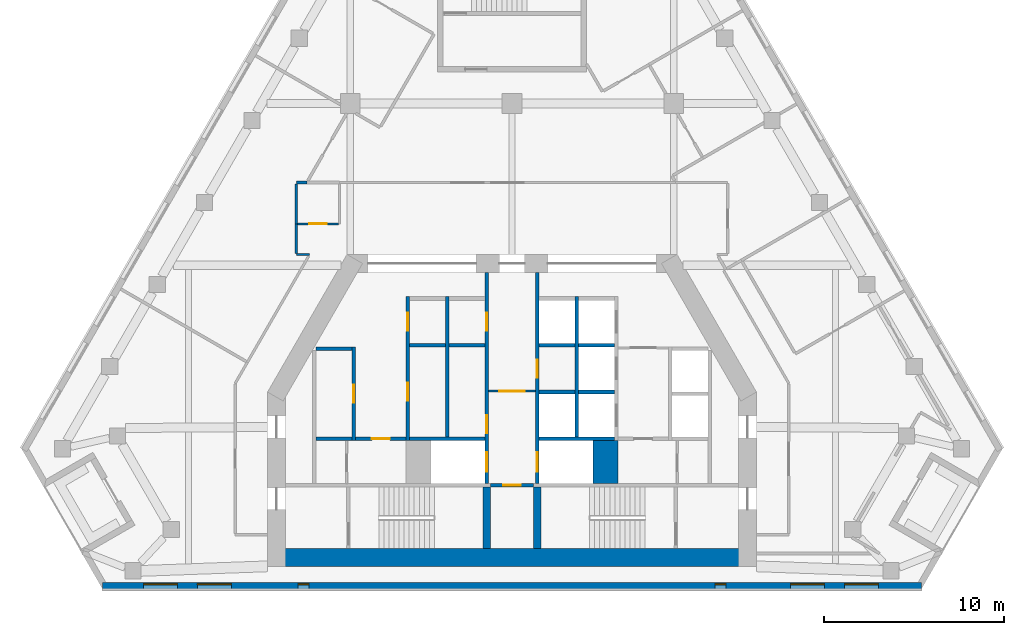
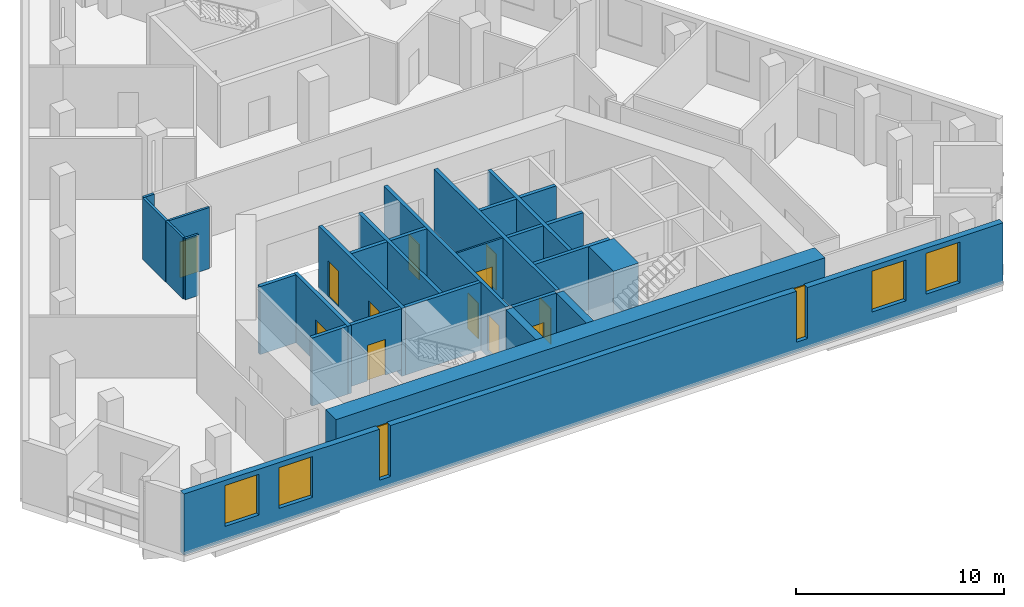
# One storey, part 4 of 9: 29 walls, 12 doors, 6 windows, 18 openings.
"""IFC4 building model written with IfcOpenShell, lengths in metres."""

from ifc_helpers import new_model, si_unit, direction, frame, frame_2d, origin, place, context, subcontext, project, spatial, rectangle, extrude, material, layer, layer_set, type_object, element, fill, save


model = new_model("IFC4")

# Units and contexts
model_context = context("Model", 3, precision=1e-05, world=origin(), true_north=direction((0.0, 1.0)))
body_context = subcontext(model_context, "Body", "Model", "MODEL_VIEW")
ifc_project = project(units=[si_unit("LENGTHUNIT", "METRE"), si_unit("AREAUNIT", "SQUARE_METRE"), si_unit("VOLUMEUNIT", "CUBIC_METRE"), si_unit("PLANEANGLEUNIT", "RADIAN"), si_unit("MASSUNIT", "GRAM", prefix="KILO")], contexts=[model_context])

# Site, building, storey
site_placement = place(None, origin())
site = spatial("IfcSite", under=ifc_project, at=site_placement, CompositionType="ELEMENT")
building_placement = place(site_placement, origin())
building = spatial("IfcBuilding", under=site, at=building_placement, Name="Fogline Exchange Tower", CompositionType="ELEMENT")
storey_placement = place(building_placement, frame((0.0, 0.0, 210.10009765625)))
storey = spatial("IfcBuildingStorey", under=building, at=storey_placement, Name="L47", CompositionType="ELEMENT", Elevation=210.10009765625)

# Wall, opening, door
ifc_material_1 = material(Name="Blockwork partition", Category="masonry")
ifc_layer_1 = layer(ifc_material_1, 0.10009765625)
ifc_layer_set_1 = layer_set([ifc_layer_1], Name="CW10")
wall_type_1 = type_object("IfcWallType", Name="CW10", PredefinedType="PARTITIONING", material=ifc_layer_set_1)
wall_1_placement = place(storey_placement, frame((-1.300048828125, 11.0, 0.0), z_axis=(0.0, 0.0, 1.0), x_axis=(1.0, 0.0, 0.0)))
wall_1 = element("IfcWall", 1, at=wall_1_placement, inside=storey, type_object=wall_type_1, Name="Lift lobby partition", PredefinedType="PARTITIONING", context=body_context, shape_type="SweptSolid", body=[
    extrude(rectangle(XDim=2.60009765625, YDim=0.10009765625, at=frame_2d((1.300048828125, 0.0))), origin(), (0.0, 0.0, 1.0), 3.599853515625),
])
opening_1_placement = place(wall_1_placement, frame((0.60009765625, 0.0, 0.0)))
opening_1 = element("IfcOpeningElement", 2, at=opening_1_placement, cuts=wall_1, Name="Opening T15-C019", PredefinedType="OPENING", context=body_context, shape_type="SweptSolid", body=[
    extrude(rectangle(XDim=1.39990234375, YDim=2.10009765625, at=frame_2d((0.699951171875, 1.050048828125))), frame((0.0, 0.06005859375, 0.0), z_axis=(0.0, -1.0, 0.0), x_axis=(1.0, 0.0, 0.0)), (0.0, 0.0, 1.0), 0.1201171875),
])
ifc_material_2 = material(Name="Steel and timber fire door", Category="steel")
door_type_1 = type_object("IfcDoorType", Name="D-LB1", OperationType="DOUBLE_DOOR_SINGLE_SWING", PredefinedType="DOOR", material=ifc_material_2)
door_1_placement = place(opening_1_placement, frame((1.39990234375, 0.0, 0.0), z_axis=(0.0, 0.0, 1.0), x_axis=(-1.0, 0.0, 0.0)))
door_1 = element("IfcDoor", 3, at=door_1_placement, inside=storey, type_object=door_type_1, Name="Door to firefighting lift lobby", OperationType="DOUBLE_DOOR_SINGLE_SWING", OverallHeight=2.10009765625, OverallWidth=1.39990234375, PredefinedType="DOOR", context=body_context, shape_type="SweptSolid", body=[
    extrude(rectangle(XDim=1.39990234375, YDim=2.10009765625, at=frame_2d((0.699951171875, 1.050048828125))), frame((0.0, 0.02490234375, 0.0), z_axis=(0.0, -1.0, 0.0), x_axis=(1.0, 0.0, 0.0)), (0.0, 0.0, 1.0), 0.050048828125),
])
fill(opening_1, door_1)

# Walls
ifc_material_3 = material(Name="Concrete C60", Category="concrete")
ifc_layer_2 = layer(ifc_material_3, 1.39990234375)
ifc_layer_set_2 = layer_set([ifc_layer_2], Name="CW140")
wall_type_2 = type_object("IfcWallType", Name="CW140", PredefinedType="SOLIDWALL", material=ifc_layer_set_2)
wall_2_placement = place(storey_placement, frame((5.199951171875, 5.85009765625, -0.400146484375), z_axis=(0.0, 0.0, 1.0), x_axis=(0.0, 1.0, 0.0)))
element("IfcWall", 4, at=wall_2_placement, inside=storey, type_object=wall_type_2, Name="Lift shaft block wall", PredefinedType="SOLIDWALL", context=body_context, shape_type="SweptSolid", body=[
    extrude(rectangle(XDim=2.39990234375, YDim=1.39990234375, at=frame_2d((1.199951171875, 0.0))), origin(), (0.0, 0.0, 1.0), 4.0),
])
ifc_material_4 = material(Name="Concrete C40", Category="concrete")
ifc_layer_3 = layer(ifc_material_4, 0.199951171875)
ifc_layer_set_3 = layer_set([ifc_layer_3], Name="CW20")
wall_type_3 = type_object("IfcWallType", Name="CW20", PredefinedType="SOLIDWALL", material=ifc_layer_set_3)
for number, where, z_axis, x_axis, name in (
    (5, (-5.699951171875, 13.550048828125, 0.0), (0.0, 0.0, 1.0), (1.0, 0.0, 0.0), "Service room wall"),
    (6, (-3.5, 13.550048828125, 0.0), (0.0, 0.0, 1.0), (1.0, 0.0, 0.0), "Service room wall"),
):
    element("IfcWall", number, at=place(storey_placement, frame(where, z_axis=z_axis, x_axis=x_axis)), inside=storey, type_object=wall_type_3, Name=name, PredefinedType="SOLIDWALL", context=body_context, shape_type="SweptSolid", body=[
        extrude(rectangle(XDim=2.0, YDim=0.199951171875, at=frame_2d((1.0, 0.0))), origin(), (0.0, 0.0, 1.0), 3.599853515625),
    ])

# Wall, opening, door
wall_3_placement = place(storey_placement, frame((-8.699951171875, 8.35009765625, 0.0), z_axis=(0.0, 0.0, 1.0), x_axis=(1.0, 0.0, 0.0)))
wall_3 = element("IfcWall", 7, at=wall_3_placement, inside=storey, type_object=wall_type_3, Name="WC wall", PredefinedType="SOLIDWALL", context=body_context, shape_type="SweptSolid", body=[
    extrude(rectangle(XDim=2.800048828125, YDim=0.199951171875, at=frame_2d((1.39990234375, 0.0))), origin(), (0.0, 0.0, 1.0), 3.599853515625),
])
opening_2_placement = place(wall_3_placement, frame((0.89990234375, 0.0, 0.0)))
opening_2 = element("IfcOpeningElement", 8, at=opening_2_placement, cuts=wall_3, Name="Opening T15-C008", PredefinedType="OPENING", context=body_context, shape_type="SweptSolid", body=[
    extrude(rectangle(XDim=1.0, YDim=2.10009765625, at=frame_2d((0.5, 1.050048828125))), frame((0.0, 0.10986328125, 0.0), z_axis=(0.0, -1.0, 0.0), x_axis=(1.0, 0.0, 0.0)), (0.0, 0.0, 1.0), 0.219970703125),
])
door_type_2 = type_object("IfcDoorType", Name="D-WC1", OperationType="SINGLE_SWING_LEFT", PredefinedType="DOOR", material=ifc_material_2)
door_2_placement = place(opening_2_placement, frame((1.0, 0.0, 0.0), z_axis=(0.0, 0.0, 1.0), x_axis=(-1.0, 0.0, 0.0)))
door_2 = element("IfcDoor", 9, at=door_2_placement, inside=storey, type_object=door_type_2, Name="Door to Men's WC", OperationType="SINGLE_SWING_LEFT", OverallHeight=2.10009765625, OverallWidth=1.0, PredefinedType="DOOR", context=body_context, shape_type="SweptSolid", body=[
    extrude(rectangle(XDim=1.0, YDim=2.10009765625, at=frame_2d((0.5, 1.050048828125))), frame((0.0, 0.02490234375, 0.0), z_axis=(0.0, -1.0, 0.0), x_axis=(1.0, 0.0, 0.0)), (0.0, 0.0, 1.0), 0.050048828125),
])
fill(opening_2, door_2)

ifc_layer_4 = layer(ifc_material_4, 0.199951171875)
ifc_layer_set_4 = layer_set([ifc_layer_4], Name="CW20R")
wall_type_4 = type_object("IfcWallType", Name="CW20R", PredefinedType="SOLIDWALL", material=ifc_layer_set_4)
wall_4_placement = place(storey_placement, frame((-1.199951171875, 5.75, -0.400146484375), z_axis=(0.0, 0.0, 1.0), x_axis=(1.0, 0.0, 0.0)))
wall_4 = element("IfcWall", 10, at=wall_4_placement, inside=storey, type_object=wall_type_4, Name="Stair enclosure wall", PredefinedType="SOLIDWALL", context=body_context, shape_type="SweptSolid", body=[
    extrude(rectangle(XDim=2.39990234375, YDim=0.199951171875, at=frame_2d((1.199951171875, 0.0))), origin(), (0.0, 0.0, 1.0), 4.0),
])
opening_3_placement = place(wall_4_placement, frame((0.699951171875, 0.0, 0.39990234375)))
opening_3 = element("IfcOpeningElement", 11, at=opening_3_placement, cuts=wall_4, Name="Opening T15-C007", PredefinedType="OPENING", context=body_context, shape_type="SweptSolid", body=[
    extrude(rectangle(XDim=1.0, YDim=2.10009765625, at=frame_2d((0.5, 1.050048828125))), frame((0.0, 0.10986328125, 0.0), z_axis=(0.0, -1.0, 0.0), x_axis=(1.0, 0.0, 0.0)), (0.0, 0.0, 1.0), 0.219970703125),
])
door_type_3 = type_object("IfcDoorType", Name="D-RM1", OperationType="SINGLE_SWING_LEFT", PredefinedType="DOOR", material=ifc_material_2)
door_3_placement = place(opening_3_placement, frame((1.0, 0.0, 0.0), z_axis=(0.0, 0.0, 1.0), x_axis=(-1.0, 0.0, 0.0)))
door_3 = element("IfcDoor", 12, at=door_3_placement, inside=storey, type_object=door_type_3, Name="Door to Stationery Store", OperationType="SINGLE_SWING_RIGHT", OverallHeight=2.10009765625, OverallWidth=1.0, PredefinedType="DOOR", context=body_context, shape_type="SweptSolid", body=[
    extrude(rectangle(XDim=1.0, YDim=2.10009765625, at=frame_2d((0.5, 1.050048828125))), frame((0.0, 0.02490234375, 0.0), z_axis=(0.0, -1.0, 0.0), x_axis=(1.0, 0.0, 0.0)), (0.0, 0.0, 1.0), 0.050048828125),
])
fill(opening_3, door_3)

ifc_layer_5 = layer(ifc_material_4, 0.199951171875)
ifc_layer_set_5 = layer_set([ifc_layer_5], Name="CW20S")
wall_type_5 = type_object("IfcWallType", Name="CW20S", PredefinedType="SOLIDWALL", material=ifc_layer_set_5)
wall_5_placement = place(storey_placement, frame((-8.800048828125, 8.25, -0.400146484375), z_axis=(0.0, 0.0, 1.0), x_axis=(0.0, 1.0, 0.0)))
wall_5 = element("IfcWall", 13, at=wall_5_placement, inside=storey, type_object=wall_type_5, Name="Lift shaft wall", PredefinedType="SOLIDWALL", context=body_context, shape_type="SweptSolid", body=[
    extrude(rectangle(XDim=5.199951171875, YDim=0.199951171875, at=frame_2d((2.60009765625, 0.0))), origin(), (0.0, 0.0, 1.0), 4.0),
])
opening_4_placement = place(wall_5_placement, frame((2.10009765625, 0.0, 0.39990234375)))
opening_4 = element("IfcOpeningElement", 14, at=opening_4_placement, cuts=wall_5, Name="Opening T15-C001", PredefinedType="OPENING", context=body_context, shape_type="SweptSolid", body=[
    extrude(rectangle(XDim=1.0, YDim=2.10009765625, at=frame_2d((0.5, 1.050048828125))), frame((0.0, 0.10986328125, 0.0), z_axis=(0.0, -1.0, 0.0), x_axis=(1.0, 0.0, 0.0)), (0.0, 0.0, 1.0), 0.219970703125),
])
door_4_placement = place(opening_4_placement, origin())
door_4 = element("IfcDoor", 15, at=door_4_placement, inside=storey, type_object=door_type_3, Name="Door to Archive Room", OperationType="SINGLE_SWING_RIGHT", OverallHeight=2.10009765625, OverallWidth=1.0, PredefinedType="DOOR", context=body_context, shape_type="SweptSolid", body=[
    extrude(rectangle(XDim=1.0, YDim=2.10009765625, at=frame_2d((0.5, 1.050048828125))), frame((0.0, 0.02490234375, 0.0), z_axis=(0.0, -1.0, 0.0), x_axis=(1.0, 0.0, 0.0)), (0.0, 0.0, 1.0), 0.050048828125),
])
fill(opening_4, door_4)

# Wall, openings, doors
wall_6_placement = place(storey_placement, frame((-5.800048828125, 8.25, -0.400146484375), z_axis=(0.0, 0.0, 1.0), x_axis=(0.0, 1.0, 0.0)))
wall_6 = element("IfcWall", 16, at=wall_6_placement, inside=storey, type_object=wall_type_5, Name="Lift shaft wall", PredefinedType="SOLIDWALL", context=body_context, shape_type="SweptSolid", body=[
    extrude(rectangle(XDim=8.0, YDim=0.199951171875, at=frame_2d((4.0, 0.0))), origin(), (0.0, 0.0, 1.0), 4.0),
])
opening_5_placement = place(wall_6_placement, frame((2.199951171875, 0.0, 0.39990234375)))
opening_5 = element("IfcOpeningElement", 17, at=opening_5_placement, cuts=wall_6, Name="Opening T15-C002", PredefinedType="OPENING", context=body_context, shape_type="SweptSolid", body=[
    extrude(rectangle(XDim=1.0, YDim=2.10009765625, at=frame_2d((0.5, 1.050048828125))), frame((0.0, 0.10986328125, 0.0), z_axis=(0.0, -1.0, 0.0), x_axis=(1.0, 0.0, 0.0)), (0.0, 0.0, 1.0), 0.219970703125),
])
opening_6_placement = place(wall_6_placement, frame((6.10009765625, 0.0, 0.39990234375)))
opening_6 = element("IfcOpeningElement", 18, at=opening_6_placement, cuts=wall_6, Name="Opening T15-C003", PredefinedType="OPENING", context=body_context, shape_type="SweptSolid", body=[
    extrude(rectangle(XDim=1.0, YDim=2.10009765625, at=frame_2d((0.5, 1.050048828125))), frame((0.0, 0.10986328125, 0.0), z_axis=(0.0, -1.0, 0.0), x_axis=(1.0, 0.0, 0.0)), (0.0, 0.0, 1.0), 0.219970703125),
])
door_5_placement = place(opening_5_placement, frame((1.0, 0.0, 0.0), z_axis=(0.0, 0.0, 1.0), x_axis=(-1.0, 0.0, 0.0)))
door_5 = element("IfcDoor", 19, at=door_5_placement, inside=storey, type_object=door_type_3, Name="Door to Equipment Room", OperationType="SINGLE_SWING_LEFT", OverallHeight=2.10009765625, OverallWidth=1.0, PredefinedType="DOOR", context=body_context, shape_type="SweptSolid", body=[
    extrude(rectangle(XDim=1.0, YDim=2.10009765625, at=frame_2d((0.5, 1.050048828125))), frame((0.0, 0.02490234375, 0.0), z_axis=(0.0, -1.0, 0.0), x_axis=(1.0, 0.0, 0.0)), (0.0, 0.0, 1.0), 0.050048828125),
])
fill(opening_5, door_5)
door_6_placement = place(opening_6_placement, frame((1.0, 0.0, 0.0), z_axis=(0.0, 0.0, 1.0), x_axis=(-1.0, 0.0, 0.0)))
door_6 = element("IfcDoor", 20, at=door_6_placement, inside=storey, type_object=door_type_3, Name="Door to Server Room", OperationType="SINGLE_SWING_RIGHT", OverallHeight=2.10009765625, OverallWidth=1.0, PredefinedType="DOOR", context=body_context, shape_type="SweptSolid", body=[
    extrude(rectangle(XDim=1.0, YDim=2.10009765625, at=frame_2d((0.5, 1.050048828125))), frame((0.0, 0.02490234375, 0.0), z_axis=(0.0, -1.0, 0.0), x_axis=(1.0, 0.0, 0.0)), (0.0, 0.0, 1.0), 0.050048828125),
])
fill(opening_6, door_6)

# Walls
for number, where, z_axis, x_axis, name in (
    (21, (-3.60009765625, 8.449951171875, -0.400146484375), (0.0, 0.0, 1.0), (0.0, 1.0, 0.0), "Lift shaft wall"),
    (22, (3.60009765625, 8.449951171875, -0.400146484375), (0.0, 0.0, 1.0), (0.0, 1.0, 0.0), "Lift shaft wall"),
):
    element("IfcWall", number, at=place(storey_placement, frame(where, z_axis=z_axis, x_axis=x_axis)), inside=storey, type_object=wall_type_5, Name=name, PredefinedType="SOLIDWALL", context=body_context, shape_type="SweptSolid", body=[
        extrude(rectangle(XDim=7.800048828125, YDim=0.199951171875, at=frame_2d((3.89990234375, 0.0))), origin(), (0.0, 0.0, 1.0), 4.0),
    ])

# Wall, openings, doors
wall_7_placement = place(storey_placement, frame((-1.39990234375, 5.85009765625, -0.400146484375), z_axis=(0.0, 0.0, 1.0), x_axis=(0.0, 1.0, 0.0)))
wall_7 = element("IfcWall", 23, at=wall_7_placement, inside=storey, type_object=wall_type_5, Name="Lift lobby wall", PredefinedType="SOLIDWALL", context=body_context, shape_type="SweptSolid", body=[
    extrude(rectangle(XDim=11.75, YDim=0.199951171875, at=frame_2d((5.875, 0.0))), origin(), (0.0, 0.0, 1.0), 4.0),
])
opening_7_placement = place(wall_7_placement, frame((0.64990234375, 0.0, 0.39990234375)))
opening_7 = element("IfcOpeningElement", 24, at=opening_7_placement, cuts=wall_7, Name="Opening T15-LD01", PredefinedType="OPENING", context=body_context, shape_type="SweptSolid", body=[
    extrude(rectangle(XDim=1.10009765625, YDim=2.10009765625, at=frame_2d((0.550048828125, 1.050048828125))), frame((0.0, 0.10986328125, 0.0), z_axis=(0.0, -1.0, 0.0), x_axis=(1.0, 0.0, 0.0)), (0.0, 0.0, 1.0), 0.219970703125),
])
opening_8_placement = place(wall_7_placement, frame((2.800048828125, 0.0, 0.39990234375)))
opening_8 = element("IfcOpeningElement", 25, at=opening_8_placement, cuts=wall_7, Name="Opening T15-C004", PredefinedType="OPENING", context=body_context, shape_type="SweptSolid", body=[
    extrude(rectangle(XDim=1.0, YDim=2.10009765625, at=frame_2d((0.5, 1.050048828125))), frame((0.0, 0.10986328125, 0.0), z_axis=(0.0, -1.0, 0.0), x_axis=(1.0, 0.0, 0.0)), (0.0, 0.0, 1.0), 0.219970703125),
])
opening_9_placement = place(wall_7_placement, frame((8.5, 0.0, 0.39990234375)))
opening_9 = element("IfcOpeningElement", 26, at=opening_9_placement, cuts=wall_7, Name="Opening T15-C005", PredefinedType="OPENING", context=body_context, shape_type="SweptSolid", body=[
    extrude(rectangle(XDim=1.0, YDim=2.10009765625, at=frame_2d((0.5, 1.050048828125))), frame((0.0, 0.10986328125, 0.0), z_axis=(0.0, -1.0, 0.0), x_axis=(1.0, 0.0, 0.0)), (0.0, 0.0, 1.0), 0.219970703125),
])
door_7_placement = place(opening_8_placement, origin())
door_7 = element("IfcDoor", 27, at=door_7_placement, inside=storey, type_object=door_type_3, Name="Door to Library Store", OperationType="SINGLE_SWING_LEFT", OverallHeight=2.10009765625, OverallWidth=1.0, PredefinedType="DOOR", context=body_context, shape_type="SweptSolid", body=[
    extrude(rectangle(XDim=1.0, YDim=2.10009765625, at=frame_2d((0.5, 1.050048828125))), frame((0.0, 0.02490234375, 0.0), z_axis=(0.0, -1.0, 0.0), x_axis=(1.0, 0.0, 0.0)), (0.0, 0.0, 1.0), 0.050048828125),
])
fill(opening_8, door_7)
door_8_placement = place(opening_9_placement, origin())
door_8 = element("IfcDoor", 28, at=door_8_placement, inside=storey, type_object=door_type_3, Name="Door to Library Store", OperationType="SINGLE_SWING_LEFT", OverallHeight=2.10009765625, OverallWidth=1.0, PredefinedType="DOOR", context=body_context, shape_type="SweptSolid", body=[
    extrude(rectangle(XDim=1.0, YDim=2.10009765625, at=frame_2d((0.5, 1.050048828125))), frame((0.0, 0.02490234375, 0.0), z_axis=(0.0, -1.0, 0.0), x_axis=(1.0, 0.0, 0.0)), (0.0, 0.0, 1.0), 0.050048828125),
])
fill(opening_9, door_8)
door_type_4 = type_object("IfcDoorType", Name="LD2", OperationType="SLIDING_TO_RIGHT", PredefinedType="DOOR", material=ifc_material_2)
door_9_placement = place(opening_7_placement, origin())
door_9 = element("IfcDoor", 29, at=door_9_placement, inside=storey, type_object=door_type_4, Name="Landing door FF1", OperationType="SLIDING_TO_RIGHT", OverallHeight=2.10009765625, OverallWidth=1.10009765625, PredefinedType="DOOR", context=body_context, shape_type="SweptSolid", body=[
    extrude(rectangle(XDim=1.10009765625, YDim=2.10009765625, at=frame_2d((0.550048828125, 1.050048828125))), frame((0.0, 0.02490234375, 0.0), z_axis=(0.0, -1.0, 0.0), x_axis=(1.0, 0.0, 0.0)), (0.0, 0.0, 1.0), 0.050048828125),
])
fill(opening_7, door_9)

wall_8_placement = place(storey_placement, frame((1.39990234375, 5.85009765625, -0.400146484375), z_axis=(0.0, 0.0, 1.0), x_axis=(0.0, 1.0, 0.0)))
wall_8 = element("IfcWall", 30, at=wall_8_placement, inside=storey, type_object=wall_type_5, Name="Lift lobby wall", PredefinedType="SOLIDWALL", context=body_context, shape_type="SweptSolid", body=[
    extrude(rectangle(XDim=11.75, YDim=0.199951171875, at=frame_2d((5.875, 0.0))), origin(), (0.0, 0.0, 1.0), 4.0),
])
opening_10_placement = place(wall_8_placement, frame((0.64990234375, 0.0, 0.39990234375)))
opening_10 = element("IfcOpeningElement", 31, at=opening_10_placement, cuts=wall_8, Name="Opening T15-LD05", PredefinedType="OPENING", context=body_context, shape_type="SweptSolid", body=[
    extrude(rectangle(XDim=1.10009765625, YDim=2.10009765625, at=frame_2d((0.550048828125, 1.050048828125))), frame((0.0, 0.10986328125, 0.0), z_axis=(0.0, -1.0, 0.0), x_axis=(1.0, 0.0, 0.0)), (0.0, 0.0, 1.0), 0.219970703125),
])
opening_11_placement = place(wall_8_placement, frame((5.89990234375, 0.0, 0.39990234375)))
opening_11 = element("IfcOpeningElement", 32, at=opening_11_placement, cuts=wall_8, Name="Opening T15-C006", PredefinedType="OPENING", context=body_context, shape_type="SweptSolid", body=[
    extrude(rectangle(XDim=1.0, YDim=2.10009765625, at=frame_2d((0.5, 1.050048828125))), frame((0.0, 0.10986328125, 0.0), z_axis=(0.0, -1.0, 0.0), x_axis=(1.0, 0.0, 0.0)), (0.0, 0.0, 1.0), 0.219970703125),
])
door_10_placement = place(opening_11_placement, frame((1.0, 0.0, 0.0), z_axis=(0.0, 0.0, 1.0), x_axis=(-1.0, 0.0, 0.0)))
door_10 = element("IfcDoor", 33, at=door_10_placement, inside=storey, type_object=door_type_3, Name="Door to Plant Room", OperationType="SINGLE_SWING_RIGHT", OverallHeight=2.10009765625, OverallWidth=1.0, PredefinedType="DOOR", context=body_context, shape_type="SweptSolid", body=[
    extrude(rectangle(XDim=1.0, YDim=2.10009765625, at=frame_2d((0.5, 1.050048828125))), frame((0.0, 0.02490234375, 0.0), z_axis=(0.0, -1.0, 0.0), x_axis=(1.0, 0.0, 0.0)), (0.0, 0.0, 1.0), 0.050048828125),
])
fill(opening_11, door_10)
door_11_placement = place(opening_10_placement, origin())
door_11 = element("IfcDoor", 34, at=door_11_placement, inside=storey, type_object=door_type_4, Name="Landing door FF2", OperationType="SLIDING_TO_RIGHT", OverallHeight=2.10009765625, OverallWidth=1.10009765625, PredefinedType="DOOR", context=body_context, shape_type="SweptSolid", body=[
    extrude(rectangle(XDim=1.10009765625, YDim=2.10009765625, at=frame_2d((0.550048828125, 1.050048828125))), frame((0.0, 0.02490234375, 0.0), z_axis=(0.0, -1.0, 0.0), x_axis=(1.0, 0.0, 0.0)), (0.0, 0.0, 1.0), 0.050048828125),
])
fill(opening_10, door_11)

# Walls
wall_9_placement = place(storey_placement, frame((-10.89990234375, 8.35009765625, -0.400146484375), z_axis=(0.0, 0.0, 1.0), x_axis=(1.0, 0.0, 0.0)))
element("IfcWall", 35, at=wall_9_placement, inside=storey, type_object=wall_type_5, Name="Lift shaft wall", PredefinedType="SOLIDWALL", context=body_context, shape_type="SweptSolid", body=[
    extrude(rectangle(XDim=2.0, YDim=0.199951171875, at=frame_2d((1.0, 0.0))), origin(), (0.0, 0.0, 1.0), 4.0),
])
for number, where, z_axis, x_axis, name in (
    (36, (-5.699951171875, 8.35009765625, -0.400146484375), (0.0, 0.0, 1.0), (1.0, 0.0, 0.0), "Lift shaft wall"),
    (37, (1.5, 8.35009765625, -0.400146484375), (0.0, 0.0, 1.0), (1.0, 0.0, 0.0), "Lift shaft wall"),
):
    element("IfcWall", number, at=place(storey_placement, frame(where, z_axis=z_axis, x_axis=x_axis)), inside=storey, type_object=wall_type_5, Name=name, PredefinedType="SOLIDWALL", context=body_context, shape_type="SweptSolid", body=[
        extrude(rectangle(XDim=4.199951171875, YDim=0.199951171875, at=frame_2d((2.10009765625, 0.0))), origin(), (0.0, 0.0, 1.0), 4.0),
    ])
for number, where, z_axis, x_axis, name in (
    (38, (-10.89990234375, 13.35009765625, -0.400146484375), (0.0, 0.0, 1.0), (1.0, 0.0, 0.0), "Lift shaft wall"),
    (39, (3.699951171875, 10.949951171875, -0.400146484375), (0.0, 0.0, 1.0), (1.0, 0.0, 0.0), "Lift shaft wall"),
    (40, (3.699951171875, 13.550048828125, -0.400146484375), (0.0, 0.0, 1.0), (1.0, 0.0, 0.0), "Lift shaft wall"),
    (41, (1.5, 10.949951171875, -0.400146484375), (0.0, 0.0, 1.0), (1.0, 0.0, 0.0), "Lift shaft wall"),
    (42, (1.5, 13.550048828125, -0.400146484375), (0.0, 0.0, 1.0), (1.0, 0.0, 0.0), "Lift shaft wall"),
):
    element("IfcWall", number, at=place(storey_placement, frame(where, z_axis=z_axis, x_axis=x_axis)), inside=storey, type_object=wall_type_5, Name=name, PredefinedType="SOLIDWALL", context=body_context, shape_type="SweptSolid", body=[
        extrude(rectangle(XDim=2.0, YDim=0.199951171875, at=frame_2d((1.0, 0.0))), origin(), (0.0, 0.0, 1.0), 4.0),
    ])
ifc_layer_6 = layer(ifc_material_4, 0.39990234375)
ifc_layer_set_6 = layer_set([ifc_layer_6], Name="CW40R")
wall_type_6 = type_object("IfcWallType", Name="CW40R", PredefinedType="SOLIDWALL", material=ifc_layer_set_6)
for number, where, z_axis, x_axis, name in (
    (43, (-1.39990234375, 2.25, -0.400146484375), (0.0, 0.0, 1.0), (0.0, 1.0, 0.0), "Stair and lift shaft wall"),
    (44, (1.39990234375, 2.25, -0.400146484375), (0.0, 0.0, 1.0), (0.0, 1.0, 0.0), "Stair and lift shaft wall"),
):
    element("IfcWall", number, at=place(storey_placement, frame(where, z_axis=z_axis, x_axis=x_axis)), inside=storey, type_object=wall_type_6, Name=name, PredefinedType="SOLIDWALL", context=body_context, shape_type="SweptSolid", body=[
        extrude(rectangle(XDim=3.39990234375, YDim=0.39990234375, at=frame_2d((1.699951171875, 0.0))), origin(), (0.0, 0.0, 1.0), 4.0),
    ])

# Wall, openings, windows
ifc_material_5 = material(Name="Brick masonry", Category="masonry")
ifc_layer_7 = layer(ifc_material_5, 0.340087890625)
ifc_layer_set_7 = layer_set([ifc_layer_7], Name="FW1")
wall_type_7 = type_object("IfcWallType", Name="FW1", PredefinedType="SOLIDWALL", material=ifc_layer_set_7)
wall_10_placement = place(storey_placement, frame((-22.78662109375, 0.169921875, 0.0), z_axis=(0.0, 0.0, 1.0), x_axis=(1.0, 0.0, 0.0)))
wall_10 = element("IfcWall", 45, at=wall_10_placement, inside=storey, type_object=wall_type_7, Name="Brick wall L47 S", PredefinedType="SOLIDWALL", context=body_context, shape_type="SweptSolid", body=[
    extrude(rectangle(XDim=45.5732421875, YDim=0.340087890625, at=frame_2d((22.78662109375, 0.0))), origin(), (0.0, 0.0, 1.0), 3.599853515625),
])
opening_12_placement = place(wall_10_placement, frame((2.28662109375, 0.0, 0.89990234375)))
opening_12 = element("IfcOpeningElement", 46, at=opening_12_placement, cuts=wall_10, Name="Opening W1", PredefinedType="OPENING", context=body_context, shape_type="SweptSolid", body=[
    extrude(rectangle(XDim=1.885009765625, YDim=2.39990234375, at=frame_2d((0.9423828125, 1.199951171875))), frame((0.0, 0.18017578125, 0.0), z_axis=(0.0, -1.0, 0.0), x_axis=(1.0, 0.0, 0.0)), (0.0, 0.0, 1.0), 0.360107421875),
])
opening_13_placement = place(wall_10_placement, frame((5.28662109375, 0.0, 0.89990234375)))
opening_13 = element("IfcOpeningElement", 47, at=opening_13_placement, cuts=wall_10, Name="Opening W1", PredefinedType="OPENING", context=body_context, shape_type="SweptSolid", body=[
    extrude(rectangle(XDim=1.885009765625, YDim=2.39990234375, at=frame_2d((0.9423828125, 1.199951171875))), frame((0.0, 0.18017578125, 0.0), z_axis=(0.0, -1.0, 0.0), x_axis=(1.0, 0.0, 0.0)), (0.0, 0.0, 1.0), 0.360107421875),
])
opening_14_placement = place(wall_10_placement, frame((38.28662109375, 0.0, 0.89990234375)))
opening_14 = element("IfcOpeningElement", 48, at=opening_14_placement, cuts=wall_10, Name="Opening W1", PredefinedType="OPENING", context=body_context, shape_type="SweptSolid", body=[
    extrude(rectangle(XDim=1.885009765625, YDim=2.39990234375, at=frame_2d((0.9423828125, 1.199951171875))), frame((0.0, 0.18017578125, 0.0), z_axis=(0.0, -1.0, 0.0), x_axis=(1.0, 0.0, 0.0)), (0.0, 0.0, 1.0), 0.360107421875),
])
opening_15_placement = place(wall_10_placement, frame((41.28662109375, 0.0, 0.89990234375)))
opening_15 = element("IfcOpeningElement", 49, at=opening_15_placement, cuts=wall_10, Name="Opening W1", PredefinedType="OPENING", context=body_context, shape_type="SweptSolid", body=[
    extrude(rectangle(XDim=1.885009765625, YDim=2.39990234375, at=frame_2d((0.9423828125, 1.199951171875))), frame((0.0, 0.18017578125, 0.0), z_axis=(0.0, -1.0, 0.0), x_axis=(1.0, 0.0, 0.0)), (0.0, 0.0, 1.0), 0.360107421875),
])
opening_16_placement = place(wall_10_placement, frame((10.886474609375, 0.0, 0.60009765625)))
opening_16 = element("IfcOpeningElement", 50, at=opening_16_placement, cuts=wall_10, Name="Opening W5", PredefinedType="OPENING", context=body_context, shape_type="SweptSolid", body=[
    extrude(rectangle(XDim=0.60009765625, YDim=3.0, at=frame_2d((0.300048828125, 1.5))), frame((0.0, 0.18017578125, 0.0), z_axis=(0.0, -1.0, 0.0), x_axis=(1.0, 0.0, 0.0)), (0.0, 0.0, 1.0), 0.360107421875),
])
opening_17_placement = place(wall_10_placement, frame((34.08642578125, 0.0, 0.60009765625)))
opening_17 = element("IfcOpeningElement", 51, at=opening_17_placement, cuts=wall_10, Name="Opening W5", PredefinedType="OPENING", context=body_context, shape_type="SweptSolid", body=[
    extrude(rectangle(XDim=0.60009765625, YDim=3.0, at=frame_2d((0.300048828125, 1.5))), frame((0.0, 0.18017578125, 0.0), z_axis=(0.0, -1.0, 0.0), x_axis=(1.0, 0.0, 0.0)), (0.0, 0.0, 1.0), 0.360107421875),
])
ifc_material_6 = material(Name="Aluminium and glass", Category="aluminium")
window_type_1 = type_object("IfcWindowType", Name="W1", PartitioningType="SINGLE_PANEL", PredefinedType="WINDOW", material=ifc_material_6)
window_1_placement = place(opening_12_placement, origin())
window_1 = element("IfcWindow", 52, at=window_1_placement, inside=storey, type_object=window_type_1, Name="W1 W1", OverallHeight=2.39990234375, OverallWidth=1.885009765625, PartitioningType="SINGLE_PANEL", PredefinedType="WINDOW", context=body_context, shape_type="SweptSolid", body=[
    extrude(rectangle(XDim=1.885009765625, YDim=2.39990234375, at=frame_2d((0.9423828125, 1.199951171875))), frame((0.0, 0.110107421875, 0.0), z_axis=(0.0, -1.0, 0.0), x_axis=(1.0, 0.0, 0.0)), (0.0, 0.0, 1.0), 0.06005859375),
])
fill(opening_12, window_1)
window_2_placement = place(opening_13_placement, origin())
window_2 = element("IfcWindow", 53, at=window_2_placement, inside=storey, type_object=window_type_1, Name="W1 W1", OverallHeight=2.39990234375, OverallWidth=1.885009765625, PartitioningType="SINGLE_PANEL", PredefinedType="WINDOW", context=body_context, shape_type="SweptSolid", body=[
    extrude(rectangle(XDim=1.885009765625, YDim=2.39990234375, at=frame_2d((0.9423828125, 1.199951171875))), frame((0.0, 0.110107421875, 0.0), z_axis=(0.0, -1.0, 0.0), x_axis=(1.0, 0.0, 0.0)), (0.0, 0.0, 1.0), 0.06005859375),
])
fill(opening_13, window_2)
window_3_placement = place(opening_14_placement, origin())
window_3 = element("IfcWindow", 54, at=window_3_placement, inside=storey, type_object=window_type_1, Name="W1 W1", OverallHeight=2.39990234375, OverallWidth=1.885009765625, PartitioningType="SINGLE_PANEL", PredefinedType="WINDOW", context=body_context, shape_type="SweptSolid", body=[
    extrude(rectangle(XDim=1.885009765625, YDim=2.39990234375, at=frame_2d((0.9423828125, 1.199951171875))), frame((0.0, 0.110107421875, 0.0), z_axis=(0.0, -1.0, 0.0), x_axis=(1.0, 0.0, 0.0)), (0.0, 0.0, 1.0), 0.06005859375),
])
fill(opening_14, window_3)
window_4_placement = place(opening_15_placement, origin())
window_4 = element("IfcWindow", 55, at=window_4_placement, inside=storey, type_object=window_type_1, Name="W1 W1", OverallHeight=2.39990234375, OverallWidth=1.885009765625, PartitioningType="SINGLE_PANEL", PredefinedType="WINDOW", context=body_context, shape_type="SweptSolid", body=[
    extrude(rectangle(XDim=1.885009765625, YDim=2.39990234375, at=frame_2d((0.9423828125, 1.199951171875))), frame((0.0, 0.110107421875, 0.0), z_axis=(0.0, -1.0, 0.0), x_axis=(1.0, 0.0, 0.0)), (0.0, 0.0, 1.0), 0.06005859375),
])
fill(opening_15, window_4)
window_type_2 = type_object("IfcWindowType", Name="W5", PartitioningType="SINGLE_PANEL", PredefinedType="WINDOW", material=ifc_material_6)
window_5_placement = place(opening_16_placement, origin())
window_5 = element("IfcWindow", 56, at=window_5_placement, inside=storey, type_object=window_type_2, Name="W5 W5", OverallHeight=3.0, OverallWidth=0.60009765625, PartitioningType="SINGLE_PANEL", PredefinedType="WINDOW", context=body_context, shape_type="SweptSolid", body=[
    extrude(rectangle(XDim=0.60009765625, YDim=3.0, at=frame_2d((0.300048828125, 1.5))), frame((0.0, 0.110107421875, 0.0), z_axis=(0.0, -1.0, 0.0), x_axis=(1.0, 0.0, 0.0)), (0.0, 0.0, 1.0), 0.06005859375),
])
fill(opening_16, window_5)
window_6_placement = place(opening_17_placement, origin())
window_6 = element("IfcWindow", 57, at=window_6_placement, inside=storey, type_object=window_type_2, Name="W5 W5", OverallHeight=3.0, OverallWidth=0.60009765625, PartitioningType="SINGLE_PANEL", PredefinedType="WINDOW", context=body_context, shape_type="SweptSolid", body=[
    extrude(rectangle(XDim=0.60009765625, YDim=3.0, at=frame_2d((0.300048828125, 1.5))), frame((0.0, 0.110107421875, 0.0), z_axis=(0.0, -1.0, 0.0), x_axis=(1.0, 0.0, 0.0)), (0.0, 0.0, 1.0), 0.06005859375),
])
fill(opening_17, window_6)

# Wall, opening, door
ifc_material_7 = material(Name="Plasterboard corridor partition with mineral wool, 2 layers each side")
ifc_layer_8 = layer(ifc_material_7, 0.125)
ifc_layer_set_8 = layer_set([ifc_layer_8], Name="PW2")
wall_type_8 = type_object("IfcWallType", Name="PW2", PredefinedType="PARTITIONING", material=ifc_layer_set_8)
wall_11_placement = place(storey_placement, frame((-11.925048828125, 20.300048828125, 0.0), z_axis=(0.0, 0.0, 1.0), x_axis=(1.0, 0.0, 0.0)))
wall_11 = element("IfcWall", 58, at=wall_11_placement, inside=storey, type_object=wall_type_8, Name="wall-L47-W008", PredefinedType="PARTITIONING", context=body_context, shape_type="SweptSolid", body=[
    extrude(rectangle(XDim=2.262451171875, YDim=0.125, at=frame_2d((1.13134765625, 0.0))), origin(), (0.0, 0.0, 1.0), 3.599853515625),
])
opening_18_placement = place(wall_11_placement, frame((0.63134765625, 0.0, 0.0)))
opening_18 = element("IfcOpeningElement", 59, at=opening_18_placement, cuts=wall_11, Name="Opening T15-D005", PredefinedType="OPENING", context=body_context, shape_type="SweptSolid", body=[
    extrude(rectangle(XDim=1.0, YDim=2.10009765625, at=frame_2d((0.5, 1.050048828125))), frame((0.0, 0.072509765625, 0.0), z_axis=(0.0, -1.0, 0.0), x_axis=(1.0, 0.0, 0.0)), (0.0, 0.0, 1.0), 0.14501953125),
])
ifc_material_8 = material(Name="Fire-rated timber door leaf with steel frame", Category="steel")
door_type_5 = type_object("IfcDoorType", Name="D3", OperationType="SINGLE_SWING_LEFT", PredefinedType="DOOR", material=ifc_material_8)
door_12_placement = place(opening_18_placement, origin())
door_12 = element("IfcDoor", 60, at=door_12_placement, inside=storey, type_object=door_type_5, Name="door-L47-D005", OperationType="SINGLE_SWING_LEFT", OverallHeight=2.10009765625, OverallWidth=1.0, PredefinedType="DOOR", context=body_context, shape_type="SweptSolid", body=[
    extrude(rectangle(XDim=1.0, YDim=2.10009765625, at=frame_2d((0.5, 1.050048828125))), frame((0.0, 0.02490234375, 0.0), z_axis=(0.0, -1.0, 0.0), x_axis=(1.0, 0.0, 0.0)), (0.0, 0.0, 1.0), 0.050048828125),
])
fill(opening_18, door_12)

# Walls
wall_12_placement = place(storey_placement, frame((-11.259033203125, 18.60009765625, 0.0), z_axis=(0.0, 0.0, 1.0), x_axis=(-1.0, 0.0, 0.0)))
element("IfcWall", 61, at=wall_12_placement, inside=storey, type_object=wall_type_8, Name="wall-L47-W010", PredefinedType="PARTITIONING", context=body_context, shape_type="SweptSolid", body=[
    extrude(rectangle(XDim=0.740966796875, YDim=0.125, at=frame_2d((0.37060546875, 0.0))), origin(), (0.0, 0.0, 1.0), 3.599853515625),
])
wall_13_placement = place(storey_placement, frame((-12.0, 18.66259765625, 0.0), z_axis=(0.0, 0.0, 1.0), x_axis=(0.0, 1.0, 0.0)))
element("IfcWall", 62, at=wall_13_placement, inside=storey, type_object=wall_type_8, Name="wall-L47-W011", PredefinedType="PARTITIONING", context=body_context, shape_type="SweptSolid", body=[
    extrude(rectangle(XDim=1.637451171875, YDim=0.125, at=frame_2d((0.81884765625, 0.0))), origin(), (0.0, 0.0, 1.0), 3.599853515625),
])
ifc_material_9 = material(Name="Plasterboard demising partition with mineral wool and acoustic board")
ifc_layer_9 = layer(ifc_material_9, 0.14990234375)
ifc_layer_set_9 = layer_set([ifc_layer_9], Name="PW3")
wall_type_9 = type_object("IfcWallType", Name="PW3", PredefinedType="PARTITIONING", material=ifc_layer_set_9)
wall_14_placement = place(storey_placement, frame((-12.0, 20.300048828125, 0.0), z_axis=(0.0, 0.0, 1.0), x_axis=(0.0, 1.0, 0.0)))
element("IfcWall", 63, at=wall_14_placement, inside=storey, type_object=wall_type_9, Name="wall-L47-W043", PredefinedType="PARTITIONING", context=body_context, shape_type="SweptSolid", body=[
    extrude(rectangle(XDim=2.224853515625, YDim=0.14990234375, at=frame_2d((1.1123046875, 0.0))), origin(), (0.0, 0.0, 1.0), 3.599853515625),
])
wall_15_placement = place(storey_placement, frame((-12.0, 22.60009765625, 0.0), z_axis=(0.0, 0.0, 1.0), x_axis=(1.0, 0.0, 0.0)))
element("IfcWall", 64, at=wall_15_placement, inside=storey, type_object=wall_type_9, Name="wall-L47-W044", PredefinedType="PARTITIONING", context=body_context, shape_type="SweptSolid", body=[
    extrude(rectangle(XDim=0.58251953125, YDim=0.14990234375, at=frame_2d((0.291259765625, 0.0))), origin(), (0.0, 0.0, 1.0), 3.599853515625),
])
ifc_layer_10 = layer(ifc_material_3, 1.0)
ifc_layer_set_10 = layer_set([ifc_layer_10], Name="SW03")
wall_type_10 = type_object("IfcWallType", Name="SW03", PredefinedType="SHEAR", material=ifc_layer_set_10)
wall_16_placement = place(storey_placement, frame((-13.60009765625, 1.75, 0.0), z_axis=(0.0, 0.0, 1.0), x_axis=(1.0, 0.0, 0.0)))
element("IfcWall", 65, at=wall_16_placement, inside=storey, type_object=wall_type_10, Name="L47-W901", PredefinedType="SHEAR", context=body_context, shape_type="SweptSolid", body=[
    extrude(rectangle(XDim=27.2001953125, YDim=1.0, at=frame_2d((13.60009765625, 0.0))), origin(), (0.0, 0.0, 1.0), 4.0),
])

save(model, "model.ifc")
